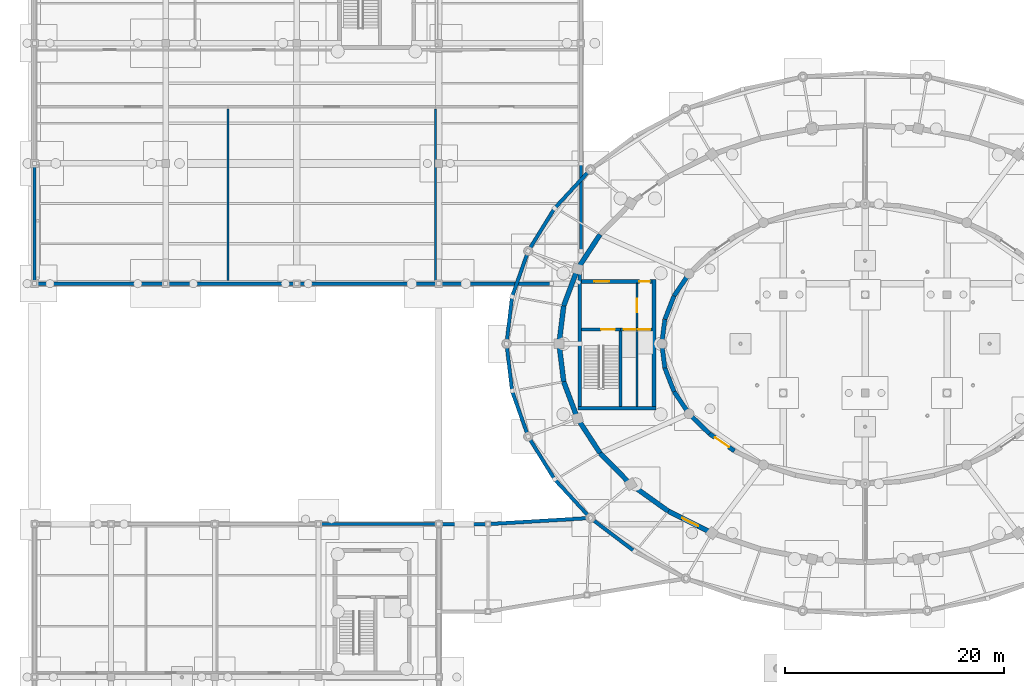
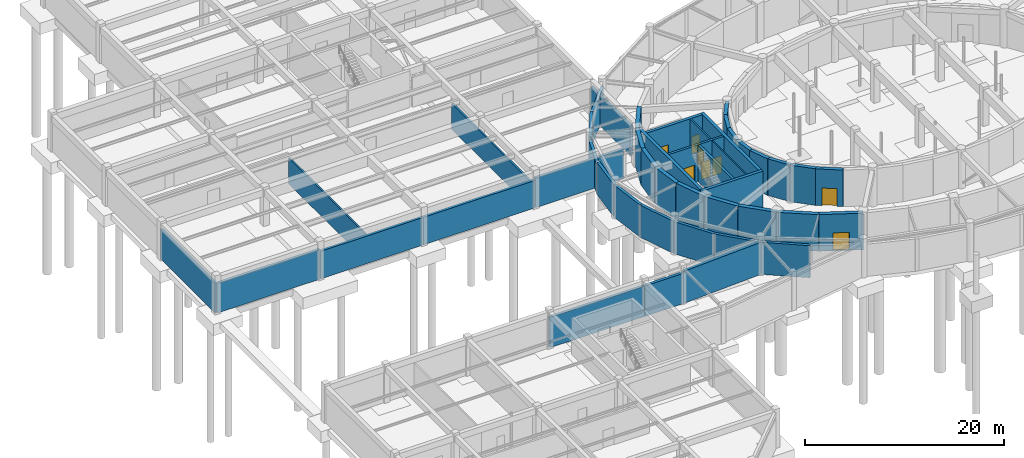
# One storey, part 20 of 42: 46 walls, 8 doors, 8 openings.
"""IFC4 building model written with IfcOpenShell, lengths in metres."""

from ifc_helpers import new_model, si_unit, direction, frame, frame_2d, origin, place, context, subcontext, project, spatial, rectangle, extrude, material, layer, layer_set, type_object, element, fill, save


model = new_model("IFC4")

# Units and contexts
model_context = context("Model", 3, precision=1e-05, world=origin(), true_north=direction((0.0, 1.0)))
body_context = subcontext(model_context, "Body", "Model", "MODEL_VIEW")
ifc_project = project(units=[si_unit("LENGTHUNIT", "METRE"), si_unit("AREAUNIT", "SQUARE_METRE"), si_unit("VOLUMEUNIT", "CUBIC_METRE"), si_unit("PLANEANGLEUNIT", "RADIAN"), si_unit("MASSUNIT", "GRAM", prefix="KILO")], contexts=[model_context])

# Site, building, storey
site_placement = place(None, origin())
site = spatial("IfcSite", under=ifc_project, at=site_placement, CompositionType="ELEMENT")
building_placement = place(site_placement, origin())
building = spatial("IfcBuilding", under=site, at=building_placement, Name="Tarnveldt Headland Concert Hall", CompositionType="ELEMENT")
storey_placement = place(building_placement, frame((0.0, 0.0, -4.800048828125)))
storey = spatial("IfcBuildingStorey", under=building, at=storey_placement, Name="B1", CompositionType="ELEMENT", Elevation=-4.800048828125)

# Walls
ifc_material_1 = material(Name="Concrete C40/50", Category="concrete")
ifc_layer_1 = layer(ifc_material_1, 0.39990234375, Name="Concrete C40/50", Category="concrete")
ifc_layer_set_1 = layer_set([ifc_layer_1], Name="Concrete C40/50")
wall_type_1 = type_object("IfcWallType", Name="WL-AC400", PredefinedType="SOLIDWALL", material=ifc_layer_set_1)
wall_1_placement = place(storey_placement, frame((67.391845703125, 60.89990234375, 0.0), z_axis=(0.0, 0.0, 1.0), x_axis=(-0.560958648975, -0.827843822312, 0.0)))
element("IfcWall", 1, at=wall_1_placement, inside=storey, type_object=wall_type_1, Name="Acoustic inner box wall B1-16", PredefinedType="SOLIDWALL", context=body_context, shape_type="SweptSolid", body=[
    extrude(rectangle(XDim=2.4423828125, YDim=0.39990234375, at=frame_2d((1.22119140625, 0.0))), origin(), (0.0, 0.0, 1.0), 4.5),
])
wall_2_placement = place(storey_placement, frame((66.021728515625, 58.8779296875, 0.0), z_axis=(0.0, 0.0, 1.0), x_axis=(-0.362802811216, -0.931865934657, 0.0)))
element("IfcWall", 2, at=wall_2_placement, inside=storey, type_object=wall_type_1, Name="Acoustic inner box wall B1-17", PredefinedType="SOLIDWALL", context=body_context, shape_type="SweptSolid", body=[
    extrude(rectangle(XDim=2.312744140625, YDim=0.39990234375, at=frame_2d((1.15625, 0.0))), origin(), (0.0, 0.0, 1.0), 4.5),
])
for number, where, z_axis, x_axis, name in (
    (3, (65.1826171875, 56.72265625, 0.0), (0.0, 0.0, 1.0), (-0.126180195213, -0.992007337844, 0.0), "Acoustic inner box wall B1-18"),
    (4, (64.89990234375, 54.5, 0.0), (0.0, 0.0, 1.0), (0.126180195213, -0.992007337844, 0.0), "Acoustic inner box wall B1-19"),
):
    element("IfcWall", number, at=place(storey_placement, frame(where, z_axis=z_axis, x_axis=x_axis)), inside=storey, type_object=wall_type_1, Name=name, PredefinedType="SOLIDWALL", context=body_context, shape_type="SweptSolid", body=[
        extrude(rectangle(XDim=2.240478515625, YDim=0.39990234375, at=frame_2d((1.1201171875, 0.0))), origin(), (0.0, 0.0, 1.0), 4.5),
    ])
wall_3_placement = place(storey_placement, frame((65.1826171875, 52.27734375, 0.0), z_axis=(0.0, 0.0, 1.0), x_axis=(0.362802811216, -0.931865934657, 0.0)))
element("IfcWall", 5, at=wall_3_placement, inside=storey, type_object=wall_type_1, Name="Acoustic inner box wall B1-20", PredefinedType="SOLIDWALL", context=body_context, shape_type="SweptSolid", body=[
    extrude(rectangle(XDim=2.312744140625, YDim=0.39990234375, at=frame_2d((1.15625, 0.0))), origin(), (0.0, 0.0, 1.0), 4.5),
])
wall_4_placement = place(storey_placement, frame((66.021728515625, 50.1220703125, 0.0), z_axis=(0.0, 0.0, 1.0), x_axis=(0.560958648975, -0.827843822312, 0.0)))
element("IfcWall", 6, at=wall_4_placement, inside=storey, type_object=wall_type_1, Name="Acoustic inner box wall B1-21", PredefinedType="SOLIDWALL", context=body_context, shape_type="SweptSolid", body=[
    extrude(rectangle(XDim=2.4423828125, YDim=0.39990234375, at=frame_2d((1.22119140625, 0.0))), origin(), (0.0, 0.0, 1.0), 4.5),
])
wall_5_placement = place(storey_placement, frame((67.391845703125, 48.10009765625, 0.0), z_axis=(0.0, 0.0, 1.0), x_axis=(0.713212431679, -0.700947949065, 0.0)))
element("IfcWall", 7, at=wall_5_placement, inside=storey, type_object=wall_type_1, Name="Acoustic inner box wall B1-22", PredefinedType="SOLIDWALL", context=body_context, shape_type="SweptSolid", body=[
    extrude(rectangle(XDim=2.607666015625, YDim=0.39990234375, at=frame_2d((1.3037109375, 0.0))), origin(), (0.0, 0.0, 1.0), 4.5),
])

# Wall, opening, door
wall_6_placement = place(storey_placement, frame((69.251708984375, 46.272216796875, 0.0), z_axis=(0.0, 0.0, 1.0), x_axis=(0.823780742291, -0.566908536388, 0.0)))
wall_6 = element("IfcWall", 8, at=wall_6_placement, inside=storey, type_object=wall_type_1, Name="Acoustic inner box wall B1-23", PredefinedType="SOLIDWALL", context=body_context, shape_type="SweptSolid", body=[
    extrude(rectangle(XDim=2.782958984375, YDim=0.39990234375, at=frame_2d((1.3916015625, 0.0))), origin(), (0.0, 0.0, 1.0), 4.5),
])
opening_1_placement = place(wall_6_placement, frame((0.616455078125, 0.0, 0.0)))
opening_1 = element("IfcOpeningElement", 9, at=opening_1_placement, cuts=wall_6, Name="Opening AD-I027", PredefinedType="OPENING", context=body_context, shape_type="SweptSolid", body=[
    extrude(rectangle(XDim=1.550048828125, YDim=2.179931640625, at=frame_2d((0.77490234375, 1.08984375))), frame((0.0, 0.2099609375, 0.0), z_axis=(0.0, -1.0, 0.0), x_axis=(1.0, 0.0, 0.0)), (0.0, 0.0, 1.0), 0.419921875),
])
ifc_material_2 = material(Name="Treated East African mvule hardwood", Category="wood")
door_type_1 = type_object("IfcDoorType", Name="DR-AC155", OperationType="NOTDEFINED", PredefinedType="DOOR", material=ifc_material_2)
door_1_placement = place(opening_1_placement, origin())
door_1 = element("IfcDoor", 10, at=door_1_placement, inside=storey, type_object=door_type_1, Name="Auditorium sound-lock vomitory door B1-23", OperationType="SINGLE_SWING_LEFT", OverallHeight=2.179931640625, OverallWidth=1.550048828125, PredefinedType="DOOR", context=body_context, shape_type="SweptSolid", body=[
    extrude(rectangle(XDim=1.550048828125, YDim=2.179931640625, at=frame_2d((0.77490234375, 1.08984375))), frame((0.0, 0.02490234375, 0.0), z_axis=(0.0, -1.0, 0.0), x_axis=(1.0, 0.0, 0.0)), (0.0, 0.0, 1.0), 0.050048828125),
])
fill(opening_1, door_1)

# Wall
ifc_layer_2 = layer(ifc_material_1, 0.35009765625, Name="Concrete C40/50", Category="concrete")
ifc_layer_set_2 = layer_set([ifc_layer_2], Name="Concrete C40/50")
wall_type_2 = type_object("IfcWallType", Name="WL-CR350", PredefinedType="SHEAR", material=ifc_layer_set_2)
wall_7_placement = place(storey_placement, frame((57.22509765625, 48.60009765625, 0.0), z_axis=(0.0, 0.0, 1.0), x_axis=(1.0, 0.0, 0.0)))
element("IfcWall", 11, at=wall_7_placement, inside=storey, type_object=wall_type_2, Name="Core C1 south shear wall B1", PredefinedType="SHEAR", context=body_context, shape_type="SweptSolid", body=[
    extrude(rectangle(XDim=7.14990234375, YDim=0.35009765625, at=frame_2d((3.574951171875, 0.0))), origin(), (0.0, 0.0, 1.0), 4.5),
])

# Wall, openings, doors
wall_8_placement = place(storey_placement, frame((57.574951171875, 60.199951171875, 0.0), z_axis=(0.0, 0.0, 1.0), x_axis=(1.0, 0.0, 0.0)))
wall_8 = element("IfcWall", 12, at=wall_8_placement, inside=storey, type_object=wall_type_2, Name="Core C1 north shear wall B1", PredefinedType="SHEAR", context=body_context, shape_type="SweptSolid", body=[
    extrude(rectangle(XDim=6.449951171875, YDim=0.35009765625, at=frame_2d((3.22509765625, 0.0))), origin(), (0.0, 0.0, 1.0), 4.5),
])
opening_2_placement = place(wall_8_placement, frame((1.14990234375, 0.0, 0.0)))
opening_2 = element("IfcOpeningElement", 13, at=opening_2_placement, cuts=wall_8, Name="Opening FFD-C1-B1", PredefinedType="OPENING", context=body_context, shape_type="SweptSolid", body=[
    extrude(rectangle(XDim=1.35009765625, YDim=2.199951171875, at=frame_2d((0.675048828125, 1.10009765625))), frame((0.0, 0.18505859375, 0.0), z_axis=(0.0, -1.0, 0.0), x_axis=(1.0, 0.0, 0.0)), (0.0, 0.0, 1.0), 0.3701171875),
])
opening_3_placement = place(wall_8_placement, frame((5.280029296875, 0.0, 0.0)))
opening_3 = element("IfcOpeningElement", 14, at=opening_3_placement, cuts=wall_8, Name="Opening LBD-C1-B1", PredefinedType="OPENING", context=body_context, shape_type="SweptSolid", body=[
    extrude(rectangle(XDim=0.949951171875, YDim=2.1201171875, at=frame_2d((0.47509765625, 1.06005859375))), frame((0.0, 0.18505859375, 0.0), z_axis=(0.0, -1.0, 0.0), x_axis=(1.0, 0.0, 0.0)), (0.0, 0.0, 1.0), 0.3701171875),
])
ifc_material_3 = material(Name="Galvanised painted steel sheet", Category="steel")
door_type_2 = type_object("IfcDoorType", Name="DR-FF135", OperationType="NOTDEFINED", PredefinedType="DOOR", material=ifc_material_3)
door_2_placement = place(opening_2_placement, origin())
door_2 = element("IfcDoor", 15, at=door_2_placement, inside=storey, type_object=door_type_2, Name="Core C1 firefighting lobby entrance door B1", OperationType="SINGLE_SWING_RIGHT", OverallHeight=2.199951171875, OverallWidth=1.35009765625, PredefinedType="DOOR", context=body_context, shape_type="SweptSolid", body=[
    extrude(rectangle(XDim=1.35009765625, YDim=2.199951171875, at=frame_2d((0.675048828125, 1.10009765625))), frame((0.0, 0.02490234375, 0.0), z_axis=(0.0, -1.0, 0.0), x_axis=(1.0, 0.0, 0.0)), (0.0, 0.0, 1.0), 0.050048828125),
])
fill(opening_2, door_2)
door_type_3 = type_object("IfcDoorType", Name="DR-RM095", OperationType="NOTDEFINED", PredefinedType="DOOR", material=ifc_material_2)
door_3_placement = place(opening_3_placement, origin())
door_3 = element("IfcDoor", 16, at=door_3_placement, inside=storey, type_object=door_type_3, Name="Core C1 lift lobby entrance door B1", OperationType="SINGLE_SWING_LEFT", OverallHeight=2.1201171875, OverallWidth=0.949951171875, PredefinedType="DOOR", context=body_context, shape_type="SweptSolid", body=[
    extrude(rectangle(XDim=0.949951171875, YDim=2.1201171875, at=frame_2d((0.47509765625, 1.06005859375))), frame((0.0, 0.02490234375, 0.0), z_axis=(0.0, -1.0, 0.0), x_axis=(1.0, 0.0, 0.0)), (0.0, 0.0, 1.0), 0.050048828125),
])
fill(opening_3, door_3)

# Walls
wall_9_placement = place(storey_placement, frame((57.39990234375, 48.77490234375, 0.0), z_axis=(0.0, 0.0, 1.0), x_axis=(0.0, 1.0, 0.0)))
element("IfcWall", 17, at=wall_9_placement, inside=storey, type_object=wall_type_2, Name="Core C1 west shear wall B1", PredefinedType="SHEAR", context=body_context, shape_type="SweptSolid", body=[
    extrude(rectangle(XDim=12.565185546875, YDim=0.35009765625, at=frame_2d((6.28271484375, 0.0))), origin(), (0.0, 0.0, 1.0), 4.5),
])
wall_10_placement = place(storey_placement, frame((64.199951171875, 48.77490234375, 0.0), z_axis=(0.0, 0.0, 1.0), x_axis=(0.0, 1.0, 0.0)))
element("IfcWall", 18, at=wall_10_placement, inside=storey, type_object=wall_type_2, Name="Core C1 east shear wall B1", PredefinedType="SHEAR", context=body_context, shape_type="SweptSolid", body=[
    extrude(rectangle(XDim=11.60009765625, YDim=0.35009765625, at=frame_2d((5.800048828125, 0.0))), origin(), (0.0, 0.0, 1.0), 4.5),
])
ifc_material_4 = material(Name="Coral-toned precast concrete C40/50", Category="concrete")
ifc_layer_3 = layer(ifc_material_4, 0.300048828125, Name="Coral-toned precast concrete C40/50", Category="concrete")
ifc_layer_set_3 = layer_set([ifc_layer_3], Name="Coral-toned precast concrete C40/50")
wall_type_3 = type_object("IfcWallType", Name="WL-EX300", PredefinedType="SOLIDWALL", material=ifc_layer_set_3)
wall_11_placement = place(storey_placement, frame((33.52001953125, 38.0, 0.0), z_axis=(0.0, 0.0, 1.0), x_axis=(1.0, 0.0, 0.0)))
element("IfcWall", 19, at=wall_11_placement, inside=storey, type_object=wall_type_3, Name="External precast wall B1-195", PredefinedType="SOLIDWALL", context=body_context, shape_type="SweptSolid", body=[
    extrude(rectangle(XDim=10.9599609375, YDim=0.300048828125, at=frame_2d((5.47998046875, 0.0))), origin(), (0.0, 0.0, 1.0), 3.738037109375),
])
wall_12_placement = place(storey_placement, frame((19.47998046875, 60.0, 0.0), z_axis=(0.0, 0.0, 1.0), x_axis=(-1.0, 0.0, 0.0)))
element("IfcWall", 20, at=wall_12_placement, inside=storey, type_object=wall_type_3, Name="External precast wall B1-246", PredefinedType="SOLIDWALL", context=body_context, shape_type="SweptSolid", body=[
    extrude(rectangle(XDim=11.9599609375, YDim=0.300048828125, at=frame_2d((5.97998046875, 0.0))), origin(), (0.0, 0.0, 1.0), 3.637939453125),
])
wall_13_placement = place(storey_placement, frame((31.47998046875, 60.0, 0.0), z_axis=(0.0, 0.0, 1.0), x_axis=(-1.0, 0.0, 0.0)))
element("IfcWall", 21, at=wall_13_placement, inside=storey, type_object=wall_type_3, Name="External precast wall B1-247", PredefinedType="SOLIDWALL", context=body_context, shape_type="SweptSolid", body=[
    extrude(rectangle(XDim=11.9599609375, YDim=0.300048828125, at=frame_2d((5.97998046875, 0.0))), origin(), (0.0, 0.0, 1.0), 3.387939453125),
])
wall_14_placement = place(storey_placement, frame((44.47998046875, 60.0, 0.0), z_axis=(0.0, 0.0, 1.0), x_axis=(-1.0, 0.0, 0.0)))
element("IfcWall", 22, at=wall_14_placement, inside=storey, type_object=wall_type_3, Name="External precast wall B1-248", PredefinedType="SOLIDWALL", context=body_context, shape_type="SweptSolid", body=[
    extrude(rectangle(XDim=12.9599609375, YDim=0.300048828125, at=frame_2d((6.47998046875, 0.0))), origin(), (0.0, 0.0, 1.0), 3.387939453125),
])
wall_15_placement = place(storey_placement, frame((54.780029296875, 60.0, 0.0), z_axis=(0.0, 0.0, 1.0), x_axis=(-1.0, 0.0, 0.0)))
element("IfcWall", 23, at=wall_15_placement, inside=storey, type_object=wall_type_3, Name="External precast wall B1-249", PredefinedType="SOLIDWALL", context=body_context, shape_type="SweptSolid", body=[
    extrude(rectangle(XDim=10.260009765625, YDim=0.300048828125, at=frame_2d((5.1298828125, 0.0))), origin(), (0.0, 0.0, 1.0), 3.637939453125),
])
wall_16_placement = place(storey_placement, frame((57.5, 70.97998046875, 0.0), z_axis=(0.0, 0.0, 1.0), x_axis=(0.0, -1.0, 0.0)))
element("IfcWall", 24, at=wall_16_placement, inside=storey, type_object=wall_type_3, Name="External precast wall B1-250", PredefinedType="SOLIDWALL", context=body_context, shape_type="SweptSolid", body=[
    extrude(rectangle(XDim=7.9599609375, YDim=0.300048828125, at=frame_2d((3.97998046875, 0.0))), origin(), (0.0, 0.0, 1.0), 3.637939453125),
])
wall_17_placement = place(storey_placement, frame((7.5, 60.02001953125, 0.0), z_axis=(0.0, 0.0, 1.0), x_axis=(0.0, 1.0, 0.0)))
element("IfcWall", 25, at=wall_17_placement, inside=storey, type_object=wall_type_3, Name="External precast wall B1-263", PredefinedType="SOLIDWALL", context=body_context, shape_type="SweptSolid", body=[
    extrude(rectangle(XDim=10.9599609375, YDim=0.300048828125, at=frame_2d((5.47998046875, 0.0))), origin(), (0.0, 0.0, 1.0), 3.637939453125),
])
ifc_layer_4 = layer(ifc_material_4, 0.324951171875, Name="Coral-toned precast concrete C40/50", Category="concrete")
ifc_layer_set_4 = layer_set([ifc_layer_4], Name="Coral-toned precast concrete C40/50")
wall_type_4 = type_object("IfcWallType", Name="WL-EX325", PredefinedType="SOLIDWALL", material=ifc_layer_set_4)
wall_18_placement = place(storey_placement, frame((55.10791015625, 66.914794921875, 0.0), z_axis=(0.0, 0.0, 1.0), x_axis=(0.679476177226, 0.733697570244, 0.0)))
element("IfcWall", 26, at=wall_18_placement, inside=storey, type_object=wall_type_4, Name="External precast wall B1-15", PredefinedType="SOLIDWALL", context=body_context, shape_type="SweptSolid", body=[
    extrude(rectangle(XDim=4.786376953125, YDim=0.324951171875, at=frame_2d((2.39306640625, 0.0))), origin(), (0.0, 0.0, 1.0), 3.637939453125),
])
wall_19_placement = place(storey_placement, frame((52.688720703125, 62.9990234375, 0.0), z_axis=(0.0, 0.0, 1.0), x_axis=(0.524906145614, 0.851160113197, 0.0)))
element("IfcWall", 27, at=wall_19_placement, inside=storey, type_object=wall_type_4, Name="External precast wall B1-16", PredefinedType="SOLIDWALL", context=body_context, shape_type="SweptSolid", body=[
    extrude(rectangle(XDim=4.563232421875, YDim=0.324951171875, at=frame_2d((2.28173828125, 0.0))), origin(), (0.0, 0.0, 1.0), 3.93798828125),
])
wall_20_placement = place(storey_placement, frame((51.205078125, 58.825439453125, 0.0), z_axis=(0.0, 0.0, 1.0), x_axis=(0.334024212389, 0.9425644941, 0.0)))
element("IfcWall", 28, at=wall_20_placement, inside=storey, type_object=wall_type_4, Name="External precast wall B1-17", PredefinedType="SOLIDWALL", context=body_context, shape_type="SweptSolid", body=[
    extrude(rectangle(XDim=4.389892578125, YDim=0.324951171875, at=frame_2d((2.19482421875, 0.0))), origin(), (0.0, 0.0, 1.0), 3.637939453125),
])
for number, where, z_axis, x_axis, name in (
    (29, (50.702392578125, 54.52001953125, 0.0), (0.0, 0.0, 1.0), (0.114934784028, 0.993373039407, 0.0), "External precast wall B1-18"),
    (30, (51.196044921875, 50.21337890625, 0.0), (0.0, 0.0, 1.0), (-0.114934784028, 0.993373039407, 0.0), "External precast wall B1-19"),
):
    element("IfcWall", number, at=place(storey_placement, frame(where, z_axis=z_axis, x_axis=x_axis)), inside=storey, type_object=wall_type_4, Name=name, PredefinedType="SOLIDWALL", context=body_context, shape_type="SweptSolid", body=[
        extrude(rectangle(XDim=4.295166015625, YDim=0.324951171875, at=frame_2d((2.1474609375, 0.0))), origin(), (0.0, 0.0, 1.0), 3.949951171875),
    ])
wall_21_placement = place(storey_placement, frame((52.67138671875, 46.036865234375, 0.0), z_axis=(0.0, 0.0, 1.0), x_axis=(-0.334024212389, 0.9425644941, 0.0)))
element("IfcWall", 31, at=wall_21_placement, inside=storey, type_object=wall_type_4, Name="External precast wall B1-20", PredefinedType="SOLIDWALL", context=body_context, shape_type="SweptSolid", body=[
    extrude(rectangle(XDim=4.389892578125, YDim=0.324951171875, at=frame_2d((2.19482421875, 0.0))), origin(), (0.0, 0.0, 1.0), 3.949951171875),
])
wall_22_placement = place(storey_placement, frame((55.083984375, 42.116943359375, 0.0), z_axis=(0.0, 0.0, 1.0), x_axis=(-0.524906145614, 0.851160113197, 0.0)))
element("IfcWall", 32, at=wall_22_placement, inside=storey, type_object=wall_type_4, Name="External precast wall B1-21", PredefinedType="SOLIDWALL", context=body_context, shape_type="SweptSolid", body=[
    extrude(rectangle(XDim=4.563232421875, YDim=0.324951171875, at=frame_2d((2.28173828125, 0.0))), origin(), (0.0, 0.0, 1.0), 3.949951171875),
])
wall_23_placement = place(storey_placement, frame((58.360107421875, 38.573486328125, 0.0), z_axis=(0.0, 0.0, 1.0), x_axis=(-0.679476177226, 0.733697570244, 0.0)))
element("IfcWall", 33, at=wall_23_placement, inside=storey, type_object=wall_type_4, Name="External precast wall B1-22", PredefinedType="SOLIDWALL", context=body_context, shape_type="SweptSolid", body=[
    extrude(rectangle(XDim=4.786376953125, YDim=0.324951171875, at=frame_2d((2.39306640625, 0.0))), origin(), (0.0, 0.0, 1.0), 3.949951171875),
])
wall_24_placement = place(storey_placement, frame((62.400634765625, 35.51416015625, 0.0), z_axis=(0.0, 0.0, 1.0), x_axis=(-0.797657622226, 0.60311053523, 0.0)))
element("IfcWall", 34, at=wall_24_placement, inside=storey, type_object=wall_type_4, Name="External precast wall B1-23", PredefinedType="SOLIDWALL", context=body_context, shape_type="SweptSolid", body=[
    extrude(rectangle(XDim=5.028564453125, YDim=0.324951171875, at=frame_2d((2.51416015625, 0.0))), origin(), (0.0, 0.0, 1.0), 3.949951171875),
])
wall_25_placement = place(storey_placement, frame((49.02001953125, 38.001220703125, 0.0), z_axis=(0.0, 0.0, 1.0), x_axis=(0.998227967153, 0.059505676994, 0.0)))
element("IfcWall", 35, at=wall_25_placement, inside=storey, type_object=wall_type_4, Name="External precast wall B1-244", PredefinedType="SOLIDWALL", context=body_context, shape_type="SweptSolid", body=[
    extrude(rectangle(XDim=9.350341796875, YDim=0.324951171875, at=frame_2d((4.67529296875, 0.0))), origin(), (0.0, 0.0, 1.0), 3.949951171875),
])
wall_26_placement = place(storey_placement, frame((44.52001953125, 38.0, 0.0), z_axis=(0.0, 0.0, 1.0), x_axis=(1.0, 0.0, 0.0)))
element("IfcWall", 36, at=wall_26_placement, inside=storey, type_object=wall_type_4, Name="External precast wall B1-245", PredefinedType="SOLIDWALL", context=body_context, shape_type="SweptSolid", body=[
    extrude(rectangle(XDim=4.4599609375, YDim=0.324951171875, at=frame_2d((2.22998046875, 0.0))), origin(), (0.0, 0.0, 1.0), 3.738037109375),
])
ifc_material_5 = material(Name="Acoustic multi-layer gypsum and mineral-wool partition", Category="gypsum")
ifc_layer_5 = layer(ifc_material_5, 0.14990234375, Name="Acoustic multi-layer gypsum and mineral-wool partition", Category="gypsum")
ifc_layer_set_5 = layer_set([ifc_layer_5], Name="Acoustic multi-layer gypsum and mineral-wool partition")
wall_type_5 = type_object("IfcWallType", Name="WL-PT150", PredefinedType="PARTITIONING", material=ifc_layer_set_5)
wall_27_placement = place(storey_placement, frame((62.632568359375, 48.77490234375, 0.0), z_axis=(0.0, 0.0, 1.0), x_axis=(0.0, 1.0, 0.0)))
element("IfcWall", 37, at=wall_27_placement, inside=storey, type_object=wall_type_5, Name="Core C1 twin lift divider B1", PredefinedType="PARTITIONING", context=body_context, shape_type="SweptSolid", body=[
    extrude(rectangle(XDim=6.8251953125, YDim=0.14990234375, at=frame_2d((3.41259765625, 0.0))), origin(), (0.0, 0.0, 1.0), 4.494140625),
])

# Wall, opening, door
ifc_layer_6 = layer(ifc_material_5, 0.1650390625, Name="Acoustic multi-layer gypsum and mineral-wool partition", Category="gypsum")
ifc_layer_set_6 = layer_set([ifc_layer_6], Name="Acoustic multi-layer gypsum and mineral-wool partition")
wall_type_6 = type_object("IfcWallType", Name="WL-PT165", PredefinedType="PARTITIONING", material=ifc_layer_set_6)
wall_28_placement = place(storey_placement, frame((62.632568359375, 55.97998046875, 0.0), z_axis=(0.0, 0.0, 1.0), x_axis=(0.0, 1.0, 0.0)))
wall_28 = element("IfcWall", 38, at=wall_28_placement, inside=storey, type_object=wall_type_6, Name="Core C1 firefighting lobby wall B1", PredefinedType="PARTITIONING", context=body_context, shape_type="SweptSolid", body=[
    extrude(rectangle(XDim=4.0400390625, YDim=0.1650390625, at=frame_2d((2.02001953125, 0.0))), origin(), (0.0, 0.0, 1.0), 4.494140625),
])
opening_4_placement = place(wall_28_placement, frame((1.419921875, 0.0, 0.0)))
opening_4 = element("IfcOpeningElement", 39, at=opening_4_placement, cuts=wall_28, Name="Opening FFD-C1I-B1", PredefinedType="OPENING", context=body_context, shape_type="SweptSolid", body=[
    extrude(rectangle(XDim=1.199951171875, YDim=2.14990234375, at=frame_2d((0.60009765625, 1.074951171875))), frame((0.0, 0.092529296875, 0.0), z_axis=(0.0, -1.0, 0.0), x_axis=(1.0, 0.0, 0.0)), (0.0, 0.0, 1.0), 0.18505859375),
])
door_type_4 = type_object("IfcDoorType", Name="DR-ST120", OperationType="NOTDEFINED", PredefinedType="DOOR", material=ifc_material_3)
door_4_placement = place(opening_4_placement, origin())
door_4 = element("IfcDoor", 40, at=door_4_placement, inside=storey, type_object=door_type_4, Name="Core C1 lobby interconnecting fire door B1", OperationType="SINGLE_SWING_LEFT", OverallHeight=2.14990234375, OverallWidth=1.199951171875, PredefinedType="DOOR", context=body_context, shape_type="SweptSolid", body=[
    extrude(rectangle(XDim=1.199951171875, YDim=2.14990234375, at=frame_2d((0.60009765625, 1.074951171875))), frame((0.0, 0.02490234375, 0.0), z_axis=(0.0, -1.0, 0.0), x_axis=(1.0, 0.0, 0.0)), (0.0, 0.0, 1.0), 0.050048828125),
])
fill(opening_4, door_4)

# Walls
ifc_layer_7 = layer(ifc_material_5, 0.18505859375, Name="Acoustic multi-layer gypsum and mineral-wool partition", Category="gypsum")
ifc_layer_set_7 = layer_set([ifc_layer_7], Name="Acoustic multi-layer gypsum and mineral-wool partition")
wall_type_7 = type_object("IfcWallType", Name="WL-PT185", PredefinedType="PARTITIONING", material=ifc_layer_set_7)
wall_29_placement = place(storey_placement, frame((25.199951171875, 60.300048828125, 0.0), z_axis=(0.0, 0.0, 1.0), x_axis=(0.0, 1.0, 0.0)))
element("IfcWall", 41, at=wall_29_placement, inside=storey, type_object=wall_type_7, Name="Interior acoustic partition B1-50", PredefinedType="PARTITIONING", context=body_context, shape_type="SweptSolid", body=[
    extrude(rectangle(XDim=15.699951171875, YDim=0.18505859375, at=frame_2d((7.85009765625, 0.0))), origin(), (0.0, 0.0, 1.0), 3.18994140625),
])
ifc_layer_8 = layer(ifc_material_5, 0.199951171875, Name="Acoustic multi-layer gypsum and mineral-wool partition", Category="gypsum")
ifc_layer_set_8 = layer_set([ifc_layer_8], Name="Acoustic multi-layer gypsum and mineral-wool partition")
wall_type_8 = type_object("IfcWallType", Name="WL-PT200", PredefinedType="PARTITIONING", material=ifc_layer_set_8)
wall_30_placement = place(storey_placement, frame((44.199951171875, 60.300048828125, 0.0), z_axis=(0.0, 0.0, 1.0), x_axis=(0.0, 1.0, 0.0)))
element("IfcWall", 42, at=wall_30_placement, inside=storey, type_object=wall_type_8, Name="Interior acoustic partition B1-51", PredefinedType="PARTITIONING", context=body_context, shape_type="SweptSolid", body=[
    extrude(rectangle(XDim=15.699951171875, YDim=0.199951171875, at=frame_2d((7.85009765625, 0.0))), origin(), (0.0, 0.0, 1.0), 3.18994140625),
])
ifc_layer_9 = layer(ifc_material_1, 0.449951171875, Name="Concrete C40/50", Category="concrete")
ifc_layer_set_9 = layer_set([ifc_layer_9], Name="Concrete C40/50")
wall_type_9 = type_object("IfcWallType", Name="WL-RT450", PredefinedType="SHEAR", material=ifc_layer_set_9)
wall_31_placement = place(storey_placement, frame((59.251220703125, 64.5, 0.0), z_axis=(0.0, 0.0, 1.0), x_axis=(-0.546611158382, -0.837386554425, 0.0)))
element("IfcWall", 43, at=wall_31_placement, inside=storey, type_object=wall_type_9, Name="Symphony drum shear wall B1-16", PredefinedType="SHEAR", context=body_context, shape_type="SweptSolid", body=[
    extrude(rectangle(XDim=3.773193359375, YDim=0.449951171875, at=frame_2d((1.88671875, 0.0))), origin(), (0.0, 0.0, 1.0), 4.5),
])
wall_32_placement = place(storey_placement, frame((57.188720703125, 61.34033203125, 0.0), z_axis=(0.0, 0.0, 1.0), x_axis=(-0.351279653979, -0.936270583058, 0.0)))
element("IfcWall", 44, at=wall_32_placement, inside=storey, type_object=wall_type_9, Name="Symphony drum shear wall B1-17", PredefinedType="SHEAR", context=body_context, shape_type="SweptSolid", body=[
    extrude(rectangle(XDim=3.5966796875, YDim=0.449951171875, at=frame_2d((1.79833984375, 0.0))), origin(), (0.0, 0.0, 1.0), 4.5),
])
for number, where, z_axis, x_axis, name in (
    (45, (55.92529296875, 57.972900390625, 0.0), (0.0, 0.0, 1.0), (-0.121552414401, -0.99258501427, 0.0), "Symphony drum shear wall B1-18"),
    (46, (55.5, 54.5, 0.0), (0.0, 0.0, 1.0), (0.121552414401, -0.99258501427, 0.0), "Symphony drum shear wall B1-19"),
):
    element("IfcWall", number, at=place(storey_placement, frame(where, z_axis=z_axis, x_axis=x_axis)), inside=storey, type_object=wall_type_9, Name=name, PredefinedType="SHEAR", context=body_context, shape_type="SweptSolid", body=[
        extrude(rectangle(XDim=3.498779296875, YDim=0.449951171875, at=frame_2d((1.74951171875, 0.0))), origin(), (0.0, 0.0, 1.0), 4.5),
    ])
wall_33_placement = place(storey_placement, frame((55.92529296875, 51.027099609375, 0.0), z_axis=(0.0, 0.0, 1.0), x_axis=(0.351279653979, -0.936270583058, 0.0)))
element("IfcWall", 47, at=wall_33_placement, inside=storey, type_object=wall_type_9, Name="Symphony drum shear wall B1-20", PredefinedType="SHEAR", context=body_context, shape_type="SweptSolid", body=[
    extrude(rectangle(XDim=3.5966796875, YDim=0.449951171875, at=frame_2d((1.79833984375, 0.0))), origin(), (0.0, 0.0, 1.0), 4.5),
])
wall_34_placement = place(storey_placement, frame((57.188720703125, 47.65966796875, 0.0), z_axis=(0.0, 0.0, 1.0), x_axis=(0.546611158382, -0.837386554425, 0.0)))
element("IfcWall", 48, at=wall_34_placement, inside=storey, type_object=wall_type_9, Name="Symphony drum shear wall B1-21", PredefinedType="SHEAR", context=body_context, shape_type="SweptSolid", body=[
    extrude(rectangle(XDim=3.773193359375, YDim=0.449951171875, at=frame_2d((1.88671875, 0.0))), origin(), (0.0, 0.0, 1.0), 4.5),
])
wall_35_placement = place(storey_placement, frame((59.251220703125, 44.5, 0.0), z_axis=(0.0, 0.0, 1.0), x_axis=(0.700051268358, -0.714092586203, 0.0)))
element("IfcWall", 49, at=wall_35_placement, inside=storey, type_object=wall_type_9, Name="Symphony drum shear wall B1-22", PredefinedType="SHEAR", context=body_context, shape_type="SweptSolid", body=[
    extrude(rectangle(XDim=3.9990234375, YDim=0.449951171875, at=frame_2d((1.99951171875, 0.0))), origin(), (0.0, 0.0, 1.0), 4.5),
])
wall_36_placement = place(storey_placement, frame((62.05078125, 41.644287109375, 0.0), z_axis=(0.0, 0.0, 1.0), x_axis=(0.813737360708, -0.581232748378, 0.0)))
element("IfcWall", 50, at=wall_36_placement, inside=storey, type_object=wall_type_9, Name="Symphony drum shear wall B1-23", PredefinedType="SHEAR", context=body_context, shape_type="SweptSolid", body=[
    extrude(rectangle(XDim=4.2412109375, YDim=0.449951171875, at=frame_2d((2.12060546875, 0.0))), origin(), (0.0, 0.0, 1.0), 4.5),
])

# Wall, opening, door
wall_37_placement = place(storey_placement, frame((65.501953125, 39.17919921875, 0.0), z_axis=(0.0, 0.0, 1.0), x_axis=(0.894361644392, -0.447344664705, 0.0)))
wall_37 = element("IfcWall", 51, at=wall_37_placement, inside=storey, type_object=wall_type_9, Name="Symphony drum shear wall B1-24", PredefinedType="SHEAR", context=body_context, shape_type="SweptSolid", body=[
    extrude(rectangle(XDim=4.47021484375, YDim=0.449951171875, at=frame_2d((2.235107421875, 0.0))), origin(), (0.0, 0.0, 1.0), 4.5),
])
opening_5_placement = place(wall_37_placement, frame((1.41015625, 0.0, 0.0)))
opening_5 = element("IfcOpeningElement", 52, at=opening_5_placement, cuts=wall_37, Name="Opening AD-O003", PredefinedType="OPENING", context=body_context, shape_type="SweptSolid", body=[
    extrude(rectangle(XDim=1.64990234375, YDim=2.199951171875, at=frame_2d((0.824951171875, 1.10009765625))), frame((0.0, 0.23486328125, 0.0), z_axis=(0.0, -1.0, 0.0), x_axis=(1.0, 0.0, 0.0)), (0.0, 0.0, 1.0), 0.469970703125),
])
door_type_5 = type_object("IfcDoorType", Name="DR-AC165", OperationType="NOTDEFINED", PredefinedType="DOOR", material=ifc_material_2)
door_5_placement = place(opening_5_placement, origin())
door_5 = element("IfcDoor", 53, at=door_5_placement, inside=storey, type_object=door_type_5, Name="Drum concourse acoustic door B1-24", OperationType="SINGLE_SWING_LEFT", OverallHeight=2.199951171875, OverallWidth=1.64990234375, PredefinedType="DOOR", context=body_context, shape_type="SweptSolid", body=[
    extrude(rectangle(XDim=1.64990234375, YDim=2.199951171875, at=frame_2d((0.824951171875, 1.10009765625))), frame((0.0, 0.02490234375, 0.0), z_axis=(0.0, -1.0, 0.0), x_axis=(1.0, 0.0, 0.0)), (0.0, 0.0, 1.0), 0.050048828125),
])
fill(opening_5, door_5)

# Wall
ifc_layer_10 = layer(ifc_material_1, 0.27490234375, Name="Concrete C40/50", Category="concrete")
ifc_layer_set_10 = layer_set([ifc_layer_10], Name="Concrete C40/50")
wall_type_10 = type_object("IfcWallType", Name="WL-SH275", PredefinedType="SHEAR", material=ifc_layer_set_10)
wall_38_placement = place(storey_placement, frame((61.10009765625, 48.77490234375, 0.0), z_axis=(0.0, 0.0, 1.0), x_axis=(0.0, 1.0, 0.0)))
element("IfcWall", 54, at=wall_38_placement, inside=storey, type_object=wall_type_10, Name="Core C1 shaft divider wall B1", PredefinedType="SHEAR", context=body_context, shape_type="SweptSolid", body=[
    extrude(rectangle(XDim=6.8876953125, YDim=0.27490234375, at=frame_2d((3.44384765625, 0.0))), origin(), (0.0, 0.0, 1.0), 4.5),
])

# Wall, opening, door
wall_39_placement = place(storey_placement, frame((57.574951171875, 55.800048828125, 0.0), z_axis=(0.0, 0.0, 1.0), x_axis=(1.0, 0.0, 0.0)))
wall_39 = element("IfcWall", 55, at=wall_39_placement, inside=storey, type_object=wall_type_10, Name="Core C1 stair enclosure wall B1", PredefinedType="SHEAR", context=body_context, shape_type="SweptSolid", body=[
    extrude(rectangle(XDim=3.525146484375, YDim=0.27490234375, at=frame_2d((1.7626953125, 0.0))), origin(), (0.0, 0.0, 1.0), 4.5),
])
opening_6_placement = place(wall_39_placement, frame((1.784912109375, 0.0, 0.0)))
opening_6 = element("IfcOpeningElement", 56, at=opening_6_placement, cuts=wall_39, Name="Opening SD-C1-B1", PredefinedType="OPENING", context=body_context, shape_type="SweptSolid", body=[
    extrude(rectangle(XDim=1.25, YDim=2.14990234375, at=frame_2d((0.625, 1.074951171875))), frame((0.0, 0.1474609375, 0.0), z_axis=(0.0, -1.0, 0.0), x_axis=(1.0, 0.0, 0.0)), (0.0, 0.0, 1.0), 0.294921875),
])
door_type_6 = type_object("IfcDoorType", Name="DR-ST125", OperationType="NOTDEFINED", PredefinedType="DOOR", material=ifc_material_3)
door_6_placement = place(opening_6_placement, origin())
door_6 = element("IfcDoor", 57, at=door_6_placement, inside=storey, type_object=door_type_6, Name="Core C1 stair fire door B1", OperationType="SINGLE_SWING_RIGHT", OverallHeight=2.14990234375, OverallWidth=1.25, PredefinedType="DOOR", context=body_context, shape_type="SweptSolid", body=[
    extrude(rectangle(XDim=1.25, YDim=2.14990234375, at=frame_2d((0.625, 1.074951171875))), frame((0.0, 0.02490234375, 0.0), z_axis=(0.0, -1.0, 0.0), x_axis=(1.0, 0.0, 0.0)), (0.0, 0.0, 1.0), 0.050048828125),
])
fill(opening_6, door_6)

# Wall, openings, doors
wall_40_placement = place(storey_placement, frame((61.10009765625, 55.800048828125, 0.0), z_axis=(0.0, 0.0, 1.0), x_axis=(1.0, 0.0, 0.0)))
wall_40 = element("IfcWall", 58, at=wall_40_placement, inside=storey, type_object=wall_type_10, Name="Core C1 lift shaft front wall B1", PredefinedType="SHEAR", context=body_context, shape_type="SweptSolid", body=[
    extrude(rectangle(XDim=2.9248046875, YDim=0.27490234375, at=frame_2d((1.46240234375, 0.0))), origin(), (0.0, 0.0, 1.0), 4.5),
])
opening_7_placement = place(wall_40_placement, frame((0.320068359375, 0.0, 0.0)))
opening_7 = element("IfcOpeningElement", 59, at=opening_7_placement, cuts=wall_40, Name="Opening LD-FFL-01-B1", PredefinedType="OPENING", context=body_context, shape_type="SweptSolid", body=[
    extrude(rectangle(XDim=1.10009765625, YDim=2.14990234375, at=frame_2d((0.550048828125, 1.074951171875))), frame((0.0, 0.1474609375, 0.0), z_axis=(0.0, -1.0, 0.0), x_axis=(1.0, 0.0, 0.0)), (0.0, 0.0, 1.0), 0.294921875),
])
opening_8_placement = place(wall_40_placement, frame((1.64501953125, 0.0, 0.0)))
opening_8 = element("IfcOpeningElement", 60, at=opening_8_placement, cuts=wall_40, Name="Opening LD-LP-01-B1", PredefinedType="OPENING", context=body_context, shape_type="SweptSolid", body=[
    extrude(rectangle(XDim=1.10009765625, YDim=2.14990234375, at=frame_2d((0.550048828125, 1.074951171875))), frame((0.0, 0.1474609375, 0.0), z_axis=(0.0, -1.0, 0.0), x_axis=(1.0, 0.0, 0.0)), (0.0, 0.0, 1.0), 0.294921875),
])
door_type_7 = type_object("IfcDoorType", Name="LD-110", OperationType="NOTDEFINED", PredefinedType="DOOR", material=ifc_material_3)
door_7_placement = place(opening_7_placement, origin())
door_7 = element("IfcDoor", 61, at=door_7_placement, inside=storey, type_object=door_type_7, Name="Lift FFL-01 sliding landing door B1", OperationType="DOUBLE_DOOR_SLIDING", OverallHeight=2.14990234375, OverallWidth=1.10009765625, PredefinedType="DOOR", context=body_context, shape_type="SweptSolid", body=[
    extrude(rectangle(XDim=1.10009765625, YDim=2.14990234375, at=frame_2d((0.550048828125, 1.074951171875))), frame((0.0, 0.02490234375, 0.0), z_axis=(0.0, -1.0, 0.0), x_axis=(1.0, 0.0, 0.0)), (0.0, 0.0, 1.0), 0.050048828125),
])
fill(opening_7, door_7)
door_8_placement = place(opening_8_placement, origin())
door_8 = element("IfcDoor", 62, at=door_8_placement, inside=storey, type_object=door_type_7, Name="Lift LP-01 sliding landing door B1", OperationType="DOUBLE_DOOR_SLIDING", OverallHeight=2.14990234375, OverallWidth=1.10009765625, PredefinedType="DOOR", context=body_context, shape_type="SweptSolid", body=[
    extrude(rectangle(XDim=1.10009765625, YDim=2.14990234375, at=frame_2d((0.550048828125, 1.074951171875))), frame((0.0, 0.02490234375, 0.0), z_axis=(0.0, -1.0, 0.0), x_axis=(1.0, 0.0, 0.0)), (0.0, 0.0, 1.0), 0.050048828125),
])
fill(opening_8, door_8)

save(model, "model.ifc")
